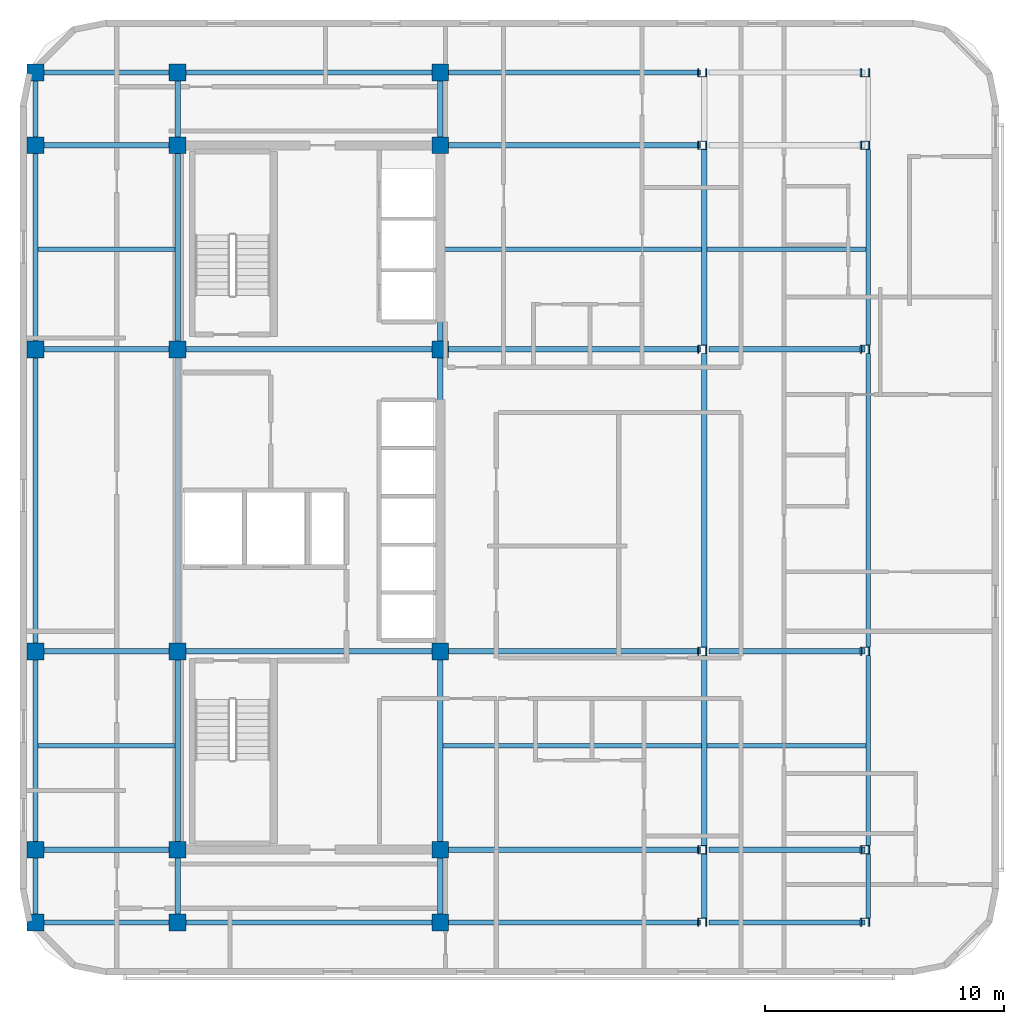
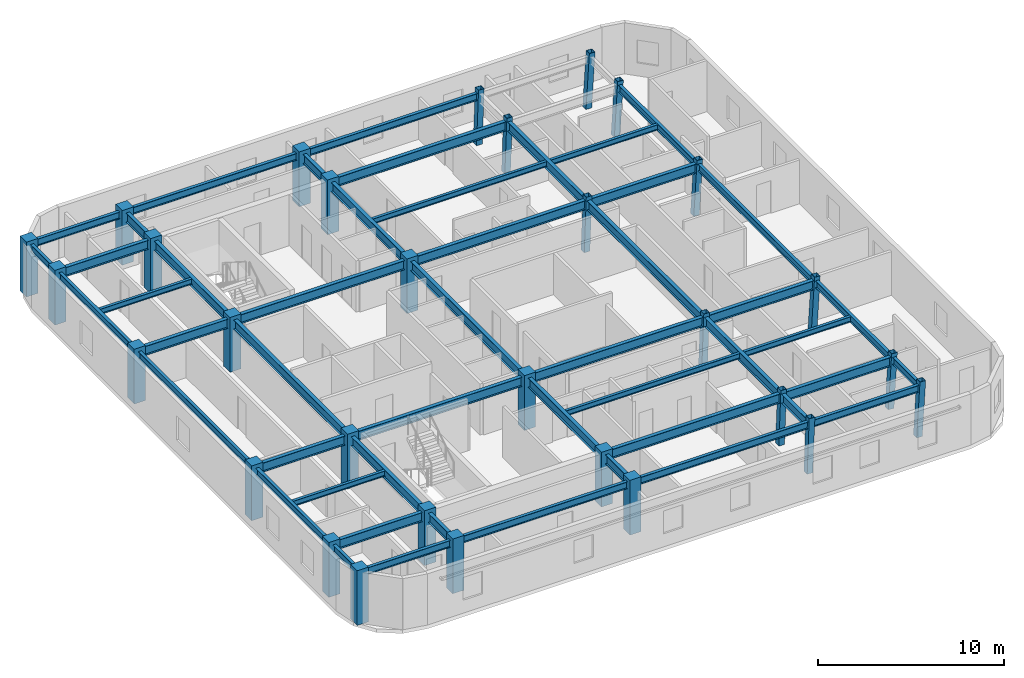
# One storey, part 1 of 10: 49 beams, 30 columns.
"""IFC4 building model written with IfcOpenShell, lengths in metres."""

from ifc_helpers import new_model, si_unit, direction, frame, origin, origin_2d, place, context, subcontext, project, spatial, rectangle, hollow_rectangle, i_section, extrude, material, material_profile, profile_set, type_object, element, save


model = new_model("IFC4")

# Units and contexts
model_context = context("Model", 3, precision=1e-05, world=origin(), true_north=direction((0.0, 1.0)))
body_context = subcontext(model_context, "Body", "Model", "MODEL_VIEW")
ifc_project = project(units=[si_unit("LENGTHUNIT", "METRE"), si_unit("AREAUNIT", "SQUARE_METRE"), si_unit("VOLUMEUNIT", "CUBIC_METRE"), si_unit("PLANEANGLEUNIT", "RADIAN"), si_unit("MASSUNIT", "GRAM", prefix="KILO")], contexts=[model_context])

# Site, building, storey
site_placement = place(None, origin())
site = spatial("IfcSite", under=ifc_project, at=site_placement, CompositionType="ELEMENT")
building_placement = place(site_placement, origin())
building = spatial("IfcBuilding", under=site, at=building_placement, Name="Ochreholt Gables", CompositionType="ELEMENT")
storey_placement = place(building_placement, frame((0.0, 0.0, 177.60009765625)))
storey = spatial("IfcBuildingStorey", under=building, at=storey_placement, Name="L46", CompositionType="ELEMENT", Elevation=177.60009765625)

# Columns
ifc_material_1 = material(Name="Steel CSA G40.21 350W", Category="steel")
ifc_material_profile_1 = material_profile(ifc_material_1, hollow_rectangle(XDim=0.35595703125, YDim=0.35595703125, WallThickness=0.01611328125, at=origin_2d()), Name="HSS356X356X16")
ifc_profile_set_1 = profile_set([ifc_material_profile_1], Name="Steel CSA G40.21 350W")
column_type_1 = type_object("IfcColumnType", Name="COL-HSS356-RAK", PredefinedType="COLUMN", material=ifc_profile_set_1)
for number, where, z_axis, x_axis, name in (
    (1, (46.152099609375, 9.25, 0.0), (0.034973505036, 0.0, 0.999388239847), (0.0, 1.0, 0.0), "L46 Column EMY2"),
    (2, (46.152099609375, 17.550048828125, 0.0), (0.034973505036, 0.0, 0.999388239847), (0.0, 1.0, 0.0), "L46 Column EMY3"),
    (3, (46.152099609375, 30.199951171875, 0.0), (0.034973505036, 0.0, 0.999388239847), (0.0, 1.0, 0.0), "L46 Column EMY4"),
    (4, (46.152099609375, 38.75, 0.0), (0.034973505036, 0.0, 0.999388239847), (0.0, 1.0, 0.0), "L46 Column EMY5"),
):
    element("IfcColumn", number, at=place(storey_placement, frame(where, z_axis=z_axis, x_axis=x_axis)), inside=storey, type_object=column_type_1, Name=name, PredefinedType="COLUMN", context=body_context, shape_type="SweptSolid", body=[
        extrude(hollow_rectangle(XDim=0.35595703125, YDim=0.35595703125, WallThickness=0.01611328125, at=origin_2d()), origin(), (0.0, 0.0, 1.0), 3.60205078125),
    ])
ifc_material_profile_2 = material_profile(ifc_material_1, hollow_rectangle(XDim=0.35595703125, YDim=0.35595703125, WallThickness=0.01611328125, at=origin_2d()), Name="HSS356X356X16")
ifc_profile_set_2 = profile_set([ifc_material_profile_2], Name="Steel CSA G40.21 350W")
column_type_2 = type_object("IfcColumnType", Name="COL-HSS356-RAKE", PredefinedType="COLUMN", material=ifc_profile_set_2)
for number, where, z_axis, x_axis, name in (
    (5, (46.152099609375, 6.199951171875, 0.0), (0.034973505036, 0.0, 0.999388239847), (0.0, 1.0, 0.0), "L46 Column EMY1"),
    (6, (46.152099609375, 41.800048828125, 0.0), (0.034973505036, 0.0, 0.999388239847), (0.0, 1.0, 0.0), "L46 Column EMY6"),
):
    element("IfcColumn", number, at=place(storey_placement, frame(where, z_axis=z_axis, x_axis=x_axis)), inside=storey, type_object=column_type_2, Name=name, PredefinedType="COLUMN", context=body_context, shape_type="SweptSolid", body=[
        extrude(hollow_rectangle(XDim=0.35595703125, YDim=0.35595703125, WallThickness=0.01611328125, at=origin_2d()), origin(), (0.0, 0.0, 1.0), 3.60205078125),
    ])
for number, where, z_axis, x_axis, name in (
    (7, (52.95751953125, 6.199951171875, 0.0), (0.057955997462, 0.0, 0.998319138531), (0.0, 1.0, 0.0), "L46 Column EEY1"),
    (8, (52.95751953125, 9.25, 0.0), (0.057955997462, 0.0, 0.998319138531), (0.0, 1.0, 0.0), "L46 Column EEY2"),
    (9, (52.95751953125, 17.550048828125, 0.0), (0.057955997462, 0.0, 0.998319138531), (0.0, 1.0, 0.0), "L46 Column EEY3"),
    (10, (52.95751953125, 30.199951171875, 0.0), (0.057955997462, 0.0, 0.998319138531), (0.0, 1.0, 0.0), "L46 Column EEY4"),
    (11, (52.95751953125, 38.75, 0.0), (0.057955997462, 0.0, 0.998319138531), (0.0, 1.0, 0.0), "L46 Column EEY5"),
    (12, (52.95751953125, 41.800048828125, 0.0), (0.057955997462, 0.0, 0.998319138531), (0.0, 1.0, 0.0), "L46 Column EEY6"),
):
    element("IfcColumn", number, at=place(storey_placement, frame(where, z_axis=z_axis, x_axis=x_axis)), inside=storey, type_object=column_type_2, Name=name, PredefinedType="COLUMN", context=body_context, shape_type="SweptSolid", body=[
        extrude(hollow_rectangle(XDim=0.35595703125, YDim=0.35595703125, WallThickness=0.01611328125, at=origin_2d()), origin(), (0.0, 0.0, 1.0), 3.60595703125),
    ])
ifc_material_2 = material(Name="Concrete 50 MPa", Category="concrete")
ifc_material_profile_3 = material_profile(ifc_material_2, rectangle(XDim=0.699951171875, YDim=0.699951171875, at=origin_2d()), Name="RC700X700")
ifc_profile_set_3 = profile_set([ifc_material_profile_3], Name="Concrete 50 MPa")
column_type_3 = type_object("IfcColumnType", Name="COL-RC700-EXT", PredefinedType="COLUMN", material=ifc_profile_set_3)
for number, where, z_axis, x_axis, name in (
    (13, (18.25, 6.199951171875, 0.0), (0.0, 0.0, 1.0), (1.0, 0.0, 0.0), "L46 Column W3Y1"),
    (14, (18.25, 9.25, 0.0), (0.0, 0.0, 1.0), (1.0, 0.0, 0.0), "L46 Column W3Y2"),
    (15, (18.25, 17.550048828125, 0.0), (0.0, 0.0, 1.0), (1.0, 0.0, 0.0), "L46 Column W3Y3"),
    (16, (18.25, 30.199951171875, 0.0), (0.0, 0.0, 1.0), (1.0, 0.0, 0.0), "L46 Column W3Y4"),
    (17, (18.25, 38.75, 0.0), (0.0, 0.0, 1.0), (1.0, 0.0, 0.0), "L46 Column W3Y5"),
    (18, (18.25, 41.800048828125, 0.0), (0.0, 0.0, 1.0), (1.0, 0.0, 0.0), "L46 Column W3Y6"),
    (19, (24.199951171875, 6.199951171875, 0.0), (0.0, 0.0, 1.0), (1.0, 0.0, 0.0), "L46 Column C1Y1"),
    (20, (24.199951171875, 41.800048828125, 0.0), (0.0, 0.0, 1.0), (1.0, 0.0, 0.0), "L46 Column C1Y6"),
    (21, (35.199951171875, 6.199951171875, 0.0), (0.0, 0.0, 1.0), (1.0, 0.0, 0.0), "L46 Column C2Y1"),
    (22, (35.199951171875, 41.800048828125, 0.0), (0.0, 0.0, 1.0), (1.0, 0.0, 0.0), "L46 Column C2Y6"),
):
    element("IfcColumn", number, at=place(storey_placement, frame(where, z_axis=z_axis, x_axis=x_axis)), inside=storey, type_object=column_type_3, Name=name, PredefinedType="COLUMN", context=body_context, shape_type="SweptSolid", body=[
        extrude(rectangle(XDim=0.699951171875, YDim=0.699951171875, at=origin_2d()), origin(), (0.0, 0.0, 1.0), 3.599853515625),
    ])
ifc_material_profile_4 = material_profile(ifc_material_2, rectangle(XDim=0.699951171875, YDim=0.699951171875, at=origin_2d()), Name="RC700X700")
ifc_profile_set_4 = profile_set([ifc_material_profile_4], Name="Concrete 50 MPa")
column_type_4 = type_object("IfcColumnType", Name="COL-RC700-INT", PredefinedType="COLUMN", material=ifc_profile_set_4)
for number, where, z_axis, x_axis, name in (
    (23, (24.199951171875, 9.25, 0.0), (0.0, 0.0, 1.0), (1.0, 0.0, 0.0), "L46 Column C1Y2"),
    (24, (24.199951171875, 17.550048828125, 0.0), (0.0, 0.0, 1.0), (1.0, 0.0, 0.0), "L46 Column C1Y3"),
    (25, (24.199951171875, 30.199951171875, 0.0), (0.0, 0.0, 1.0), (1.0, 0.0, 0.0), "L46 Column C1Y4"),
    (26, (24.199951171875, 38.75, 0.0), (0.0, 0.0, 1.0), (1.0, 0.0, 0.0), "L46 Column C1Y5"),
    (27, (35.199951171875, 9.25, 0.0), (0.0, 0.0, 1.0), (1.0, 0.0, 0.0), "L46 Column C2Y2"),
    (28, (35.199951171875, 17.550048828125, 0.0), (0.0, 0.0, 1.0), (1.0, 0.0, 0.0), "L46 Column C2Y3"),
    (29, (35.199951171875, 30.199951171875, 0.0), (0.0, 0.0, 1.0), (1.0, 0.0, 0.0), "L46 Column C2Y4"),
    (30, (35.199951171875, 38.75, 0.0), (0.0, 0.0, 1.0), (1.0, 0.0, 0.0), "L46 Column C2Y5"),
):
    element("IfcColumn", number, at=place(storey_placement, frame(where, z_axis=z_axis, x_axis=x_axis)), inside=storey, type_object=column_type_4, Name=name, PredefinedType="COLUMN", context=body_context, shape_type="SweptSolid", body=[
        extrude(rectangle(XDim=0.699951171875, YDim=0.699951171875, at=origin_2d()), origin(), (0.0, 0.0, 1.0), 3.599853515625),
    ])

# Beams
ifc_material_profile_5 = material_profile(ifc_material_1, i_section(OverallWidth=0.22900390625, OverallDepth=0.612060546875, WebThickness=0.011962890625, FlangeThickness=0.01953125, at=origin_2d()), Name="W610X125")
ifc_profile_set_5 = profile_set([ifc_material_profile_5], Name="Steel CSA G40.21 350W")
beam_type_1 = type_object("IfcBeamType", Name="BM-G-W610B", PredefinedType="BEAM", material=ifc_profile_set_5)
beam_1_placement = place(storey_placement, frame((18.599609375, 9.25, 3.053955078125), z_axis=(1.0, 0.0, 0.0), x_axis=(0.0, 1.0, 0.0)))
element("IfcBeam", 31, at=beam_1_placement, inside=storey, type_object=beam_type_1, Name="L46 Beam TBG-L46-W3C1-Y2", PredefinedType="BEAM", context=body_context, shape_type="SweptSolid", body=[
    extrude(i_section(OverallWidth=0.22900390625, OverallDepth=0.612060546875, WebThickness=0.011962890625, FlangeThickness=0.01953125, at=origin_2d()), origin(), (0.0, 0.0, 1.0), 5.250732421875),
])
beam_2_placement = place(storey_placement, frame((35.549560546875, 9.25, 3.053955078125), z_axis=(1.0, 0.0, 0.0), x_axis=(0.0, 1.0, 0.0)))
element("IfcBeam", 32, at=beam_2_placement, inside=storey, type_object=beam_type_1, Name="L46 Beam TBG-L46-C2EM-Y2", PredefinedType="BEAM", context=body_context, shape_type="SweptSolid", body=[
    extrude(i_section(OverallWidth=0.22900390625, OverallDepth=0.612060546875, WebThickness=0.011962890625, FlangeThickness=0.01953125, at=origin_2d()), origin(), (0.0, 0.0, 1.0), 10.55078125),
])
beam_3_placement = place(storey_placement, frame((46.45556640625, 9.25, 3.053955078125), z_axis=(1.0, 0.0, 0.0), x_axis=(0.0, 1.0, 0.0)))
element("IfcBeam", 33, at=beam_3_placement, inside=storey, type_object=beam_type_1, Name="L46 Beam TBG-L46-EMEE-Y2", PredefinedType="BEAM", context=body_context, shape_type="SweptSolid", body=[
    extrude(i_section(OverallWidth=0.22900390625, OverallDepth=0.612060546875, WebThickness=0.011962890625, FlangeThickness=0.01953125, at=origin_2d()), origin(), (0.0, 0.0, 1.0), 6.533203125),
])
beam_4_placement = place(storey_placement, frame((18.599609375, 17.550048828125, 3.053955078125), z_axis=(1.0, 0.0, 0.0), x_axis=(0.0, 1.0, 0.0)))
element("IfcBeam", 34, at=beam_4_placement, inside=storey, type_object=beam_type_1, Name="L46 Beam TBG-L46-W3C1-Y3", PredefinedType="BEAM", context=body_context, shape_type="SweptSolid", body=[
    extrude(i_section(OverallWidth=0.22900390625, OverallDepth=0.612060546875, WebThickness=0.011962890625, FlangeThickness=0.01953125, at=origin_2d()), origin(), (0.0, 0.0, 1.0), 5.250732421875),
])
beam_5_placement = place(storey_placement, frame((24.549560546875, 17.550048828125, 3.053955078125), z_axis=(1.0, 0.0, 0.0), x_axis=(0.0, 1.0, 0.0)))
element("IfcBeam", 35, at=beam_5_placement, inside=storey, type_object=beam_type_1, Name="L46 Beam TBG-L46-C1C2-Y3", PredefinedType="BEAM", context=body_context, shape_type="SweptSolid", body=[
    extrude(i_section(OverallWidth=0.22900390625, OverallDepth=0.612060546875, WebThickness=0.011962890625, FlangeThickness=0.01953125, at=origin_2d()), origin(), (0.0, 0.0, 1.0), 10.30078125),
])
beam_6_placement = place(storey_placement, frame((35.549560546875, 17.550048828125, 3.053955078125), z_axis=(1.0, 0.0, 0.0), x_axis=(0.0, 1.0, 0.0)))
element("IfcBeam", 36, at=beam_6_placement, inside=storey, type_object=beam_type_1, Name="L46 Beam TBG-L46-C2EM-Y3", PredefinedType="BEAM", context=body_context, shape_type="SweptSolid", body=[
    extrude(i_section(OverallWidth=0.22900390625, OverallDepth=0.612060546875, WebThickness=0.011962890625, FlangeThickness=0.01953125, at=origin_2d()), origin(), (0.0, 0.0, 1.0), 10.55078125),
])
beam_7_placement = place(storey_placement, frame((46.45556640625, 17.550048828125, 3.053955078125), z_axis=(1.0, 0.0, 0.0), x_axis=(0.0, 1.0, 0.0)))
element("IfcBeam", 37, at=beam_7_placement, inside=storey, type_object=beam_type_1, Name="L46 Beam TBG-L46-EMEE-Y3", PredefinedType="BEAM", context=body_context, shape_type="SweptSolid", body=[
    extrude(i_section(OverallWidth=0.22900390625, OverallDepth=0.612060546875, WebThickness=0.011962890625, FlangeThickness=0.01953125, at=origin_2d()), origin(), (0.0, 0.0, 1.0), 6.533203125),
])
beam_8_placement = place(storey_placement, frame((18.599609375, 30.199951171875, 3.053955078125), z_axis=(1.0, 0.0, 0.0), x_axis=(0.0, 1.0, 0.0)))
element("IfcBeam", 38, at=beam_8_placement, inside=storey, type_object=beam_type_1, Name="L46 Beam TBG-L46-W3C1-Y4", PredefinedType="BEAM", context=body_context, shape_type="SweptSolid", body=[
    extrude(i_section(OverallWidth=0.22900390625, OverallDepth=0.612060546875, WebThickness=0.011962890625, FlangeThickness=0.01953125, at=origin_2d()), origin(), (0.0, 0.0, 1.0), 5.250732421875),
])
beam_9_placement = place(storey_placement, frame((24.549560546875, 30.199951171875, 3.053955078125), z_axis=(1.0, 0.0, 0.0), x_axis=(0.0, 1.0, 0.0)))
element("IfcBeam", 39, at=beam_9_placement, inside=storey, type_object=beam_type_1, Name="L46 Beam TBG-L46-C1C2-Y4", PredefinedType="BEAM", context=body_context, shape_type="SweptSolid", body=[
    extrude(i_section(OverallWidth=0.22900390625, OverallDepth=0.612060546875, WebThickness=0.011962890625, FlangeThickness=0.01953125, at=origin_2d()), origin(), (0.0, 0.0, 1.0), 10.30078125),
])
beam_10_placement = place(storey_placement, frame((35.549560546875, 30.199951171875, 3.053955078125), z_axis=(1.0, 0.0, 0.0), x_axis=(0.0, 1.0, 0.0)))
element("IfcBeam", 40, at=beam_10_placement, inside=storey, type_object=beam_type_1, Name="L46 Beam TBG-L46-C2EM-Y4", PredefinedType="BEAM", context=body_context, shape_type="SweptSolid", body=[
    extrude(i_section(OverallWidth=0.22900390625, OverallDepth=0.612060546875, WebThickness=0.011962890625, FlangeThickness=0.01953125, at=origin_2d()), origin(), (0.0, 0.0, 1.0), 10.55078125),
])
beam_11_placement = place(storey_placement, frame((46.45556640625, 30.199951171875, 3.053955078125), z_axis=(1.0, 0.0, 0.0), x_axis=(0.0, 1.0, 0.0)))
element("IfcBeam", 41, at=beam_11_placement, inside=storey, type_object=beam_type_1, Name="L46 Beam TBG-L46-EMEE-Y4", PredefinedType="BEAM", context=body_context, shape_type="SweptSolid", body=[
    extrude(i_section(OverallWidth=0.22900390625, OverallDepth=0.612060546875, WebThickness=0.011962890625, FlangeThickness=0.01953125, at=origin_2d()), origin(), (0.0, 0.0, 1.0), 6.533203125),
])
beam_12_placement = place(storey_placement, frame((18.599609375, 38.75, 3.053955078125), z_axis=(1.0, 0.0, 0.0), x_axis=(0.0, 1.0, 0.0)))
element("IfcBeam", 42, at=beam_12_placement, inside=storey, type_object=beam_type_1, Name="L46 Beam TBG-L46-W3C1-Y5", PredefinedType="BEAM", context=body_context, shape_type="SweptSolid", body=[
    extrude(i_section(OverallWidth=0.22900390625, OverallDepth=0.612060546875, WebThickness=0.011962890625, FlangeThickness=0.01953125, at=origin_2d()), origin(), (0.0, 0.0, 1.0), 5.250732421875),
])
beam_13_placement = place(storey_placement, frame((35.549560546875, 38.75, 3.053955078125), z_axis=(1.0, 0.0, 0.0), x_axis=(0.0, 1.0, 0.0)))
element("IfcBeam", 43, at=beam_13_placement, inside=storey, type_object=beam_type_1, Name="L46 Beam TBG-L46-C2EM-Y5", PredefinedType="BEAM", context=body_context, shape_type="SweptSolid", body=[
    extrude(i_section(OverallWidth=0.22900390625, OverallDepth=0.612060546875, WebThickness=0.011962890625, FlangeThickness=0.01953125, at=origin_2d()), origin(), (0.0, 0.0, 1.0), 10.55078125),
])
beam_14_placement = place(storey_placement, frame((24.199951171875, 6.549560546875, 3.053955078125), z_axis=(0.0, 1.0, 0.0), x_axis=(-1.0, 0.0, 0.0)))
element("IfcBeam", 44, at=beam_14_placement, inside=storey, type_object=beam_type_1, Name="L46 Beam TBN-L46-C1-Y1Y2", PredefinedType="BEAM", context=body_context, shape_type="SweptSolid", body=[
    extrude(i_section(OverallWidth=0.22900390625, OverallDepth=0.612060546875, WebThickness=0.011962890625, FlangeThickness=0.01953125, at=origin_2d()), origin(), (0.0, 0.0, 1.0), 2.350830078125),
])
beam_15_placement = place(storey_placement, frame((24.199951171875, 9.599609375, 3.053955078125), z_axis=(0.0, 1.0, 0.0), x_axis=(-1.0, 0.0, 0.0)))
element("IfcBeam", 45, at=beam_15_placement, inside=storey, type_object=beam_type_1, Name="L46 Beam TBN-L46-C1-Y2Y3", PredefinedType="BEAM", context=body_context, shape_type="SweptSolid", body=[
    extrude(i_section(OverallWidth=0.22900390625, OverallDepth=0.612060546875, WebThickness=0.011962890625, FlangeThickness=0.01953125, at=origin_2d()), origin(), (0.0, 0.0, 1.0), 7.600830078125),
])
beam_16_placement = place(storey_placement, frame((24.199951171875, 17.899658203125, 3.053955078125), z_axis=(0.0, 1.0, 0.0), x_axis=(-1.0, 0.0, 0.0)))
element("IfcBeam", 46, at=beam_16_placement, inside=storey, type_object=beam_type_1, Name="L46 Beam TBN-L46-C1-Y3Y4", PredefinedType="BEAM", context=body_context, shape_type="SweptSolid", body=[
    extrude(i_section(OverallWidth=0.22900390625, OverallDepth=0.612060546875, WebThickness=0.011962890625, FlangeThickness=0.01953125, at=origin_2d()), origin(), (0.0, 0.0, 1.0), 11.95068359375),
])
beam_17_placement = place(storey_placement, frame((24.199951171875, 30.549560546875, 3.053955078125), z_axis=(0.0, 1.0, 0.0), x_axis=(-1.0, 0.0, 0.0)))
element("IfcBeam", 47, at=beam_17_placement, inside=storey, type_object=beam_type_1, Name="L46 Beam TBN-L46-C1-Y4Y5", PredefinedType="BEAM", context=body_context, shape_type="SweptSolid", body=[
    extrude(i_section(OverallWidth=0.22900390625, OverallDepth=0.612060546875, WebThickness=0.011962890625, FlangeThickness=0.01953125, at=origin_2d()), origin(), (0.0, 0.0, 1.0), 7.850830078125),
])
for number, where, z_axis, x_axis, name in (
    (48, (24.199951171875, 39.099609375, 3.053955078125), (0.0, 1.0, 0.0), (-1.0, 0.0, 0.0), "L46 Beam TBN-L46-C1-Y5Y6"),
    (49, (35.199951171875, 6.549560546875, 3.053955078125), (0.0, 1.0, 0.0), (-1.0, 0.0, 0.0), "L46 Beam TBN-L46-C2-Y1Y2"),
):
    element("IfcBeam", number, at=place(storey_placement, frame(where, z_axis=z_axis, x_axis=x_axis)), inside=storey, type_object=beam_type_1, Name=name, PredefinedType="BEAM", context=body_context, shape_type="SweptSolid", body=[
        extrude(i_section(OverallWidth=0.22900390625, OverallDepth=0.612060546875, WebThickness=0.011962890625, FlangeThickness=0.01953125, at=origin_2d()), origin(), (0.0, 0.0, 1.0), 2.350830078125),
    ])
beam_18_placement = place(storey_placement, frame((35.199951171875, 9.599609375, 3.053955078125), z_axis=(0.0, 1.0, 0.0), x_axis=(-1.0, 0.0, 0.0)))
element("IfcBeam", 50, at=beam_18_placement, inside=storey, type_object=beam_type_1, Name="L46 Beam TBN-L46-C2-Y2Y3", PredefinedType="BEAM", context=body_context, shape_type="SweptSolid", body=[
    extrude(i_section(OverallWidth=0.22900390625, OverallDepth=0.612060546875, WebThickness=0.011962890625, FlangeThickness=0.01953125, at=origin_2d()), origin(), (0.0, 0.0, 1.0), 7.600830078125),
])
beam_19_placement = place(storey_placement, frame((35.199951171875, 17.899658203125, 3.053955078125), z_axis=(0.0, 1.0, 0.0), x_axis=(-1.0, 0.0, 0.0)))
element("IfcBeam", 51, at=beam_19_placement, inside=storey, type_object=beam_type_1, Name="L46 Beam TBN-L46-C2-Y3Y4", PredefinedType="BEAM", context=body_context, shape_type="SweptSolid", body=[
    extrude(i_section(OverallWidth=0.22900390625, OverallDepth=0.612060546875, WebThickness=0.011962890625, FlangeThickness=0.01953125, at=origin_2d()), origin(), (0.0, 0.0, 1.0), 11.95068359375),
])
beam_20_placement = place(storey_placement, frame((35.199951171875, 30.549560546875, 3.053955078125), z_axis=(0.0, 1.0, 0.0), x_axis=(-1.0, 0.0, 0.0)))
element("IfcBeam", 52, at=beam_20_placement, inside=storey, type_object=beam_type_1, Name="L46 Beam TBN-L46-C2-Y4Y5", PredefinedType="BEAM", context=body_context, shape_type="SweptSolid", body=[
    extrude(i_section(OverallWidth=0.22900390625, OverallDepth=0.612060546875, WebThickness=0.011962890625, FlangeThickness=0.01953125, at=origin_2d()), origin(), (0.0, 0.0, 1.0), 7.850830078125),
])
beam_21_placement = place(storey_placement, frame((35.199951171875, 39.099609375, 3.053955078125), z_axis=(0.0, 1.0, 0.0), x_axis=(-1.0, 0.0, 0.0)))
element("IfcBeam", 53, at=beam_21_placement, inside=storey, type_object=beam_type_1, Name="L46 Beam TBN-L46-C2-Y5Y6", PredefinedType="BEAM", context=body_context, shape_type="SweptSolid", body=[
    extrude(i_section(OverallWidth=0.22900390625, OverallDepth=0.612060546875, WebThickness=0.011962890625, FlangeThickness=0.01953125, at=origin_2d()), origin(), (0.0, 0.0, 1.0), 2.350830078125),
])
beam_22_placement = place(storey_placement, frame((46.2607421875, 6.377685546875, 3.053955078125), z_axis=(0.0, 1.0, 0.0), x_axis=(-1.0, 0.0, 0.0)))
element("IfcBeam", 54, at=beam_22_placement, inside=storey, type_object=beam_type_1, Name="L46 Beam TBN-L46-EM-Y1Y2", PredefinedType="BEAM", context=body_context, shape_type="SweptSolid", body=[
    extrude(i_section(OverallWidth=0.22900390625, OverallDepth=0.612060546875, WebThickness=0.011962890625, FlangeThickness=0.01953125, at=origin_2d()), origin(), (0.0, 0.0, 1.0), 2.69482421875),
])
beam_23_placement = place(storey_placement, frame((46.2607421875, 9.427490234375, 3.053955078125), z_axis=(0.0, 1.0, 0.0), x_axis=(-1.0, 0.0, 0.0)))
element("IfcBeam", 55, at=beam_23_placement, inside=storey, type_object=beam_type_1, Name="L46 Beam TBN-L46-EM-Y2Y3", PredefinedType="BEAM", context=body_context, shape_type="SweptSolid", body=[
    extrude(i_section(OverallWidth=0.22900390625, OverallDepth=0.612060546875, WebThickness=0.011962890625, FlangeThickness=0.01953125, at=origin_2d()), origin(), (0.0, 0.0, 1.0), 7.94482421875),
])
beam_24_placement = place(storey_placement, frame((46.2607421875, 17.7275390625, 3.053955078125), z_axis=(0.0, 1.0, 0.0), x_axis=(-1.0, 0.0, 0.0)))
element("IfcBeam", 56, at=beam_24_placement, inside=storey, type_object=beam_type_1, Name="L46 Beam TBN-L46-EM-Y3Y4", PredefinedType="BEAM", context=body_context, shape_type="SweptSolid", body=[
    extrude(i_section(OverallWidth=0.22900390625, OverallDepth=0.612060546875, WebThickness=0.011962890625, FlangeThickness=0.01953125, at=origin_2d()), origin(), (0.0, 0.0, 1.0), 12.294921875),
])
beam_25_placement = place(storey_placement, frame((46.2607421875, 30.377685546875, 3.053955078125), z_axis=(0.0, 1.0, 0.0), x_axis=(-1.0, 0.0, 0.0)))
element("IfcBeam", 57, at=beam_25_placement, inside=storey, type_object=beam_type_1, Name="L46 Beam TBN-L46-EM-Y4Y5", PredefinedType="BEAM", context=body_context, shape_type="SweptSolid", body=[
    extrude(i_section(OverallWidth=0.22900390625, OverallDepth=0.612060546875, WebThickness=0.011962890625, FlangeThickness=0.01953125, at=origin_2d()), origin(), (0.0, 0.0, 1.0), 8.19482421875),
])
ifc_material_profile_6 = material_profile(ifc_material_1, i_section(OverallWidth=0.172119140625, OverallDepth=0.35791015625, WebThickness=0.0078125, FlangeThickness=0.01318359375, at=origin_2d()), Name="W360X57")
ifc_profile_set_6 = profile_set([ifc_material_profile_6], Name="Steel CSA G40.21 350W")
beam_type_2 = type_object("IfcBeamType", Name="BM-J-W360B", PredefinedType="JOIST", material=ifc_profile_set_6)
beam_26_placement = place(storey_placement, frame((18.345703125, 13.60009765625, 3.180908203125), z_axis=(1.0, 0.0, 0.0), x_axis=(0.0, 1.0, 0.0)))
element("IfcBeam", 58, at=beam_26_placement, inside=storey, type_object=beam_type_2, Name="L46 Beam TBJ-L46-J1-W3C1", PredefinedType="JOIST", context=body_context, shape_type="SweptSolid", body=[
    extrude(i_section(OverallWidth=0.172119140625, OverallDepth=0.35791015625, WebThickness=0.0078125, FlangeThickness=0.01318359375, at=origin_2d()), origin(), (0.0, 0.0, 1.0), 5.740234375),
])
beam_27_placement = place(storey_placement, frame((35.314208984375, 13.60009765625, 3.180908203125), z_axis=(1.0, 0.0, 0.0), x_axis=(0.0, 1.0, 0.0)))
element("IfcBeam", 59, at=beam_27_placement, inside=storey, type_object=beam_type_2, Name="L46 Beam TBJ-L46-J1-C2EM", PredefinedType="JOIST", context=body_context, shape_type="SweptSolid", body=[
    extrude(i_section(OverallWidth=0.172119140625, OverallDepth=0.35791015625, WebThickness=0.0078125, FlangeThickness=0.01318359375, at=origin_2d()), origin(), (0.0, 0.0, 1.0), 10.83251953125),
])
beam_28_placement = place(storey_placement, frame((46.375, 13.60009765625, 3.180908203125), z_axis=(1.0, 0.0, 0.0), x_axis=(0.0, 1.0, 0.0)))
element("IfcBeam", 60, at=beam_28_placement, inside=storey, type_object=beam_type_2, Name="L46 Beam TBJ-L46-J1-EMEE", PredefinedType="JOIST", context=body_context, shape_type="SweptSolid", body=[
    extrude(i_section(OverallWidth=0.172119140625, OverallDepth=0.35791015625, WebThickness=0.0078125, FlangeThickness=0.01318359375, at=origin_2d()), origin(), (0.0, 0.0, 1.0), 6.66748046875),
])
beam_29_placement = place(storey_placement, frame((18.345703125, 34.39990234375, 3.180908203125), z_axis=(1.0, 0.0, 0.0), x_axis=(0.0, 1.0, 0.0)))
element("IfcBeam", 61, at=beam_29_placement, inside=storey, type_object=beam_type_2, Name="L46 Beam TBJ-L46-J2-W3C1", PredefinedType="JOIST", context=body_context, shape_type="SweptSolid", body=[
    extrude(i_section(OverallWidth=0.172119140625, OverallDepth=0.35791015625, WebThickness=0.0078125, FlangeThickness=0.01318359375, at=origin_2d()), origin(), (0.0, 0.0, 1.0), 5.740234375),
])
beam_30_placement = place(storey_placement, frame((35.314208984375, 34.39990234375, 3.180908203125), z_axis=(1.0, 0.0, 0.0), x_axis=(0.0, 1.0, 0.0)))
element("IfcBeam", 62, at=beam_30_placement, inside=storey, type_object=beam_type_2, Name="L46 Beam TBJ-L46-J2-C2EM", PredefinedType="JOIST", context=body_context, shape_type="SweptSolid", body=[
    extrude(i_section(OverallWidth=0.172119140625, OverallDepth=0.35791015625, WebThickness=0.0078125, FlangeThickness=0.01318359375, at=origin_2d()), origin(), (0.0, 0.0, 1.0), 10.83251953125),
])
beam_31_placement = place(storey_placement, frame((46.375, 34.39990234375, 3.180908203125), z_axis=(1.0, 0.0, 0.0), x_axis=(0.0, 1.0, 0.0)))
element("IfcBeam", 63, at=beam_31_placement, inside=storey, type_object=beam_type_2, Name="L46 Beam TBJ-L46-J2-EMEE", PredefinedType="JOIST", context=body_context, shape_type="SweptSolid", body=[
    extrude(i_section(OverallWidth=0.172119140625, OverallDepth=0.35791015625, WebThickness=0.0078125, FlangeThickness=0.01318359375, at=origin_2d()), origin(), (0.0, 0.0, 1.0), 6.66748046875),
])
ifc_material_profile_7 = material_profile(ifc_material_1, i_section(OverallWidth=0.19189453125, OverallDepth=0.462890625, WebThickness=0.010498046875, FlangeThickness=0.017578125, at=origin_2d()), Name="W460X89")
ifc_profile_set_7 = profile_set([ifc_material_profile_7], Name="Steel CSA G40.21 350W")
beam_type_3 = type_object("IfcBeamType", Name="BM-SP-W460A", PredefinedType="SPANDREL", material=ifc_profile_set_7)
beam_32_placement = place(storey_placement, frame((18.599609375, 6.199951171875, 3.12841796875), z_axis=(1.0, 0.0, 0.0), x_axis=(0.0, 1.0, 0.0)))
element("IfcBeam", 64, at=beam_32_placement, inside=storey, type_object=beam_type_3, Name="L46 Beam TBG-L46-W3C1-Y1", PredefinedType="SPANDREL", context=body_context, shape_type="SweptSolid", body=[
    extrude(i_section(OverallWidth=0.19189453125, OverallDepth=0.462890625, WebThickness=0.010498046875, FlangeThickness=0.017578125, at=origin_2d()), origin(), (0.0, 0.0, 1.0), 5.250732421875),
])
beam_33_placement = place(storey_placement, frame((24.549560546875, 6.199951171875, 3.12841796875), z_axis=(1.0, 0.0, 0.0), x_axis=(0.0, 1.0, 0.0)))
element("IfcBeam", 65, at=beam_33_placement, inside=storey, type_object=beam_type_3, Name="L46 Beam TBG-L46-C1C2-Y1", PredefinedType="SPANDREL", context=body_context, shape_type="SweptSolid", body=[
    extrude(i_section(OverallWidth=0.19189453125, OverallDepth=0.462890625, WebThickness=0.010498046875, FlangeThickness=0.017578125, at=origin_2d()), origin(), (0.0, 0.0, 1.0), 10.30078125),
])
beam_34_placement = place(storey_placement, frame((35.549560546875, 6.199951171875, 3.12841796875), z_axis=(1.0, 0.0, 0.0), x_axis=(0.0, 1.0, 0.0)))
element("IfcBeam", 66, at=beam_34_placement, inside=storey, type_object=beam_type_3, Name="L46 Beam TBG-L46-C2EM-Y1", PredefinedType="SPANDREL", context=body_context, shape_type="SweptSolid", body=[
    extrude(i_section(OverallWidth=0.19189453125, OverallDepth=0.462890625, WebThickness=0.010498046875, FlangeThickness=0.017578125, at=origin_2d()), origin(), (0.0, 0.0, 1.0), 10.55078125),
])
beam_35_placement = place(storey_placement, frame((46.45556640625, 6.199951171875, 3.12841796875), z_axis=(1.0, 0.0, 0.0), x_axis=(0.0, 1.0, 0.0)))
element("IfcBeam", 67, at=beam_35_placement, inside=storey, type_object=beam_type_3, Name="L46 Beam TBG-L46-EMEE-Y1", PredefinedType="SPANDREL", context=body_context, shape_type="SweptSolid", body=[
    extrude(i_section(OverallWidth=0.19189453125, OverallDepth=0.462890625, WebThickness=0.010498046875, FlangeThickness=0.017578125, at=origin_2d()), origin(), (0.0, 0.0, 1.0), 6.533203125),
])
beam_36_placement = place(storey_placement, frame((18.599609375, 41.800048828125, 3.12841796875), z_axis=(1.0, 0.0, 0.0), x_axis=(0.0, 1.0, 0.0)))
element("IfcBeam", 68, at=beam_36_placement, inside=storey, type_object=beam_type_3, Name="L46 Beam TBG-L46-W3C1-Y6", PredefinedType="SPANDREL", context=body_context, shape_type="SweptSolid", body=[
    extrude(i_section(OverallWidth=0.19189453125, OverallDepth=0.462890625, WebThickness=0.010498046875, FlangeThickness=0.017578125, at=origin_2d()), origin(), (0.0, 0.0, 1.0), 5.250732421875),
])
beam_37_placement = place(storey_placement, frame((24.549560546875, 41.800048828125, 3.12841796875), z_axis=(1.0, 0.0, 0.0), x_axis=(0.0, 1.0, 0.0)))
element("IfcBeam", 69, at=beam_37_placement, inside=storey, type_object=beam_type_3, Name="L46 Beam TBG-L46-C1C2-Y6", PredefinedType="SPANDREL", context=body_context, shape_type="SweptSolid", body=[
    extrude(i_section(OverallWidth=0.19189453125, OverallDepth=0.462890625, WebThickness=0.010498046875, FlangeThickness=0.017578125, at=origin_2d()), origin(), (0.0, 0.0, 1.0), 10.30078125),
])
beam_38_placement = place(storey_placement, frame((35.549560546875, 41.800048828125, 3.12841796875), z_axis=(1.0, 0.0, 0.0), x_axis=(0.0, 1.0, 0.0)))
element("IfcBeam", 70, at=beam_38_placement, inside=storey, type_object=beam_type_3, Name="L46 Beam TBG-L46-C2EM-Y6", PredefinedType="SPANDREL", context=body_context, shape_type="SweptSolid", body=[
    extrude(i_section(OverallWidth=0.19189453125, OverallDepth=0.462890625, WebThickness=0.010498046875, FlangeThickness=0.017578125, at=origin_2d()), origin(), (0.0, 0.0, 1.0), 10.55078125),
])
beam_39_placement = place(storey_placement, frame((18.25, 6.549560546875, 3.12841796875), z_axis=(0.0, 1.0, 0.0), x_axis=(-1.0, 0.0, 0.0)))
element("IfcBeam", 71, at=beam_39_placement, inside=storey, type_object=beam_type_3, Name="L46 Beam TBN-L46-W3-Y1Y2", PredefinedType="SPANDREL", context=body_context, shape_type="SweptSolid", body=[
    extrude(i_section(OverallWidth=0.19189453125, OverallDepth=0.462890625, WebThickness=0.010498046875, FlangeThickness=0.017578125, at=origin_2d()), origin(), (0.0, 0.0, 1.0), 2.350830078125),
])
beam_40_placement = place(storey_placement, frame((18.25, 9.599609375, 3.12841796875), z_axis=(0.0, 1.0, 0.0), x_axis=(-1.0, 0.0, 0.0)))
element("IfcBeam", 72, at=beam_40_placement, inside=storey, type_object=beam_type_3, Name="L46 Beam TBN-L46-W3-Y2Y3", PredefinedType="SPANDREL", context=body_context, shape_type="SweptSolid", body=[
    extrude(i_section(OverallWidth=0.19189453125, OverallDepth=0.462890625, WebThickness=0.010498046875, FlangeThickness=0.017578125, at=origin_2d()), origin(), (0.0, 0.0, 1.0), 7.600830078125),
])
beam_41_placement = place(storey_placement, frame((18.25, 17.899658203125, 3.12841796875), z_axis=(0.0, 1.0, 0.0), x_axis=(-1.0, 0.0, 0.0)))
element("IfcBeam", 73, at=beam_41_placement, inside=storey, type_object=beam_type_3, Name="L46 Beam TBN-L46-W3-Y3Y4", PredefinedType="SPANDREL", context=body_context, shape_type="SweptSolid", body=[
    extrude(i_section(OverallWidth=0.19189453125, OverallDepth=0.462890625, WebThickness=0.010498046875, FlangeThickness=0.017578125, at=origin_2d()), origin(), (0.0, 0.0, 1.0), 11.95068359375),
])
beam_42_placement = place(storey_placement, frame((18.25, 30.549560546875, 3.12841796875), z_axis=(0.0, 1.0, 0.0), x_axis=(-1.0, 0.0, 0.0)))
element("IfcBeam", 74, at=beam_42_placement, inside=storey, type_object=beam_type_3, Name="L46 Beam TBN-L46-W3-Y4Y5", PredefinedType="SPANDREL", context=body_context, shape_type="SweptSolid", body=[
    extrude(i_section(OverallWidth=0.19189453125, OverallDepth=0.462890625, WebThickness=0.010498046875, FlangeThickness=0.017578125, at=origin_2d()), origin(), (0.0, 0.0, 1.0), 7.850830078125),
])
beam_43_placement = place(storey_placement, frame((18.25, 39.099609375, 3.12841796875), z_axis=(0.0, 1.0, 0.0), x_axis=(-1.0, 0.0, 0.0)))
element("IfcBeam", 75, at=beam_43_placement, inside=storey, type_object=beam_type_3, Name="L46 Beam TBN-L46-W3-Y5Y6", PredefinedType="SPANDREL", context=body_context, shape_type="SweptSolid", body=[
    extrude(i_section(OverallWidth=0.19189453125, OverallDepth=0.462890625, WebThickness=0.010498046875, FlangeThickness=0.017578125, at=origin_2d()), origin(), (0.0, 0.0, 1.0), 2.350830078125),
])
beam_44_placement = place(storey_placement, frame((53.137939453125, 6.377685546875, 3.12841796875), z_axis=(0.0, 1.0, 0.0), x_axis=(-1.0, 0.0, 0.0)))
element("IfcBeam", 76, at=beam_44_placement, inside=storey, type_object=beam_type_3, Name="L46 Beam TBN-L46-EE-Y1Y2", PredefinedType="SPANDREL", context=body_context, shape_type="SweptSolid", body=[
    extrude(i_section(OverallWidth=0.19189453125, OverallDepth=0.462890625, WebThickness=0.010498046875, FlangeThickness=0.017578125, at=origin_2d()), origin(), (0.0, 0.0, 1.0), 2.69482421875),
])
beam_45_placement = place(storey_placement, frame((53.137939453125, 9.427490234375, 3.12841796875), z_axis=(0.0, 1.0, 0.0), x_axis=(-1.0, 0.0, 0.0)))
element("IfcBeam", 77, at=beam_45_placement, inside=storey, type_object=beam_type_3, Name="L46 Beam TBN-L46-EE-Y2Y3", PredefinedType="SPANDREL", context=body_context, shape_type="SweptSolid", body=[
    extrude(i_section(OverallWidth=0.19189453125, OverallDepth=0.462890625, WebThickness=0.010498046875, FlangeThickness=0.017578125, at=origin_2d()), origin(), (0.0, 0.0, 1.0), 7.94482421875),
])
beam_46_placement = place(storey_placement, frame((53.137939453125, 17.7275390625, 3.12841796875), z_axis=(0.0, 1.0, 0.0), x_axis=(-1.0, 0.0, 0.0)))
element("IfcBeam", 78, at=beam_46_placement, inside=storey, type_object=beam_type_3, Name="L46 Beam TBN-L46-EE-Y3Y4", PredefinedType="SPANDREL", context=body_context, shape_type="SweptSolid", body=[
    extrude(i_section(OverallWidth=0.19189453125, OverallDepth=0.462890625, WebThickness=0.010498046875, FlangeThickness=0.017578125, at=origin_2d()), origin(), (0.0, 0.0, 1.0), 12.294921875),
])
beam_47_placement = place(storey_placement, frame((53.137939453125, 30.377685546875, 3.12841796875), z_axis=(0.0, 1.0, 0.0), x_axis=(-1.0, 0.0, 0.0)))
element("IfcBeam", 79, at=beam_47_placement, inside=storey, type_object=beam_type_3, Name="L46 Beam TBN-L46-EE-Y4Y5", PredefinedType="SPANDREL", context=body_context, shape_type="SweptSolid", body=[
    extrude(i_section(OverallWidth=0.19189453125, OverallDepth=0.462890625, WebThickness=0.010498046875, FlangeThickness=0.017578125, at=origin_2d()), origin(), (0.0, 0.0, 1.0), 8.19482421875),
])

save(model, "model.ifc")
